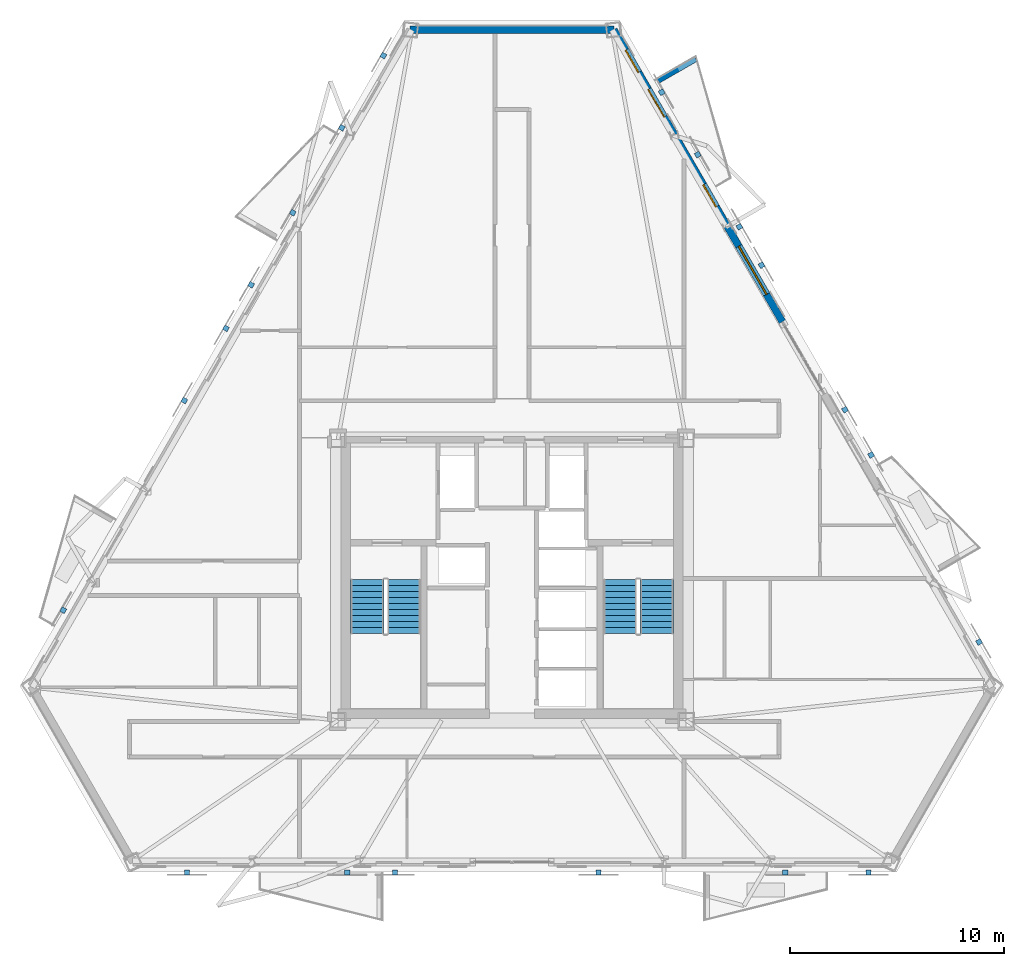
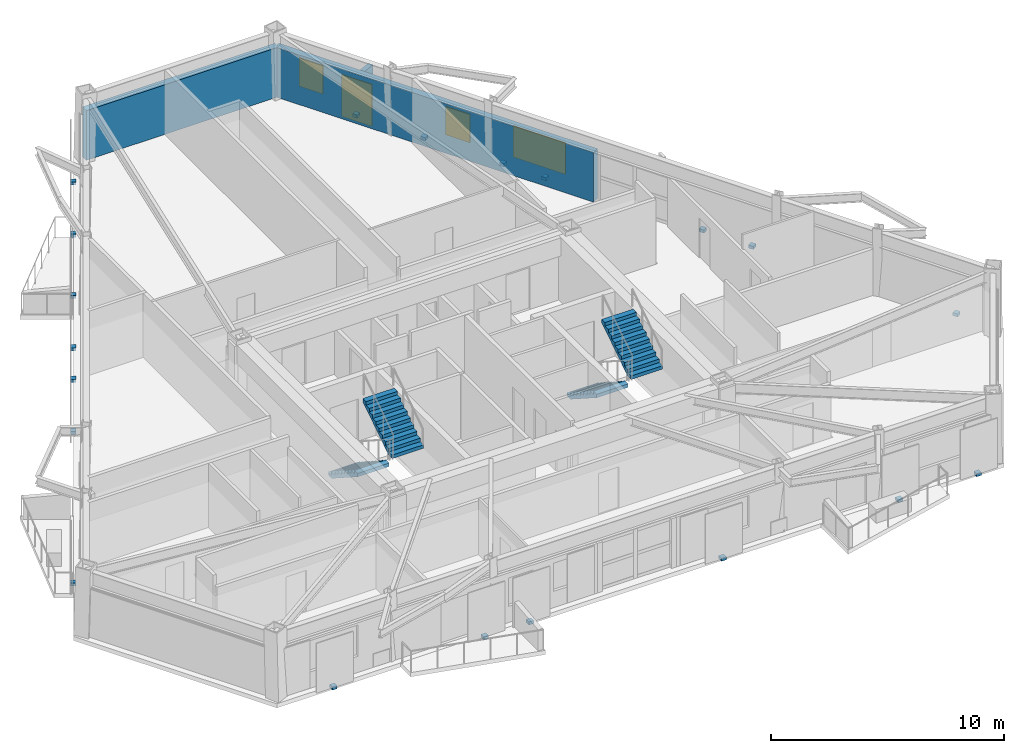
# One storey, part 10 of 14: 20 discrete accessories, 4 stair flights, 3 walls, 3 windows, 1 door, 4 openings, 2 elements without a shape of their own.
"""IFC4 building model written with IfcOpenShell, lengths in metres."""

from ifc_helpers import new_model, si_unit, direction, frame, frame_2d, origin, origin_2d, place, context, subcontext, project, spatial, polyline, rectangle, outline, extrude, material, layer, layer_set, type_object, element, fill, aggregate, save


model = new_model("IFC4")

# Units and contexts
model_context = context("Model", 3, precision=1e-05, world=origin(), true_north=direction((0.0, 1.0)))
body_context = subcontext(model_context, "Body", "Model", "MODEL_VIEW")
ifc_project = project(units=[si_unit("LENGTHUNIT", "METRE"), si_unit("AREAUNIT", "SQUARE_METRE"), si_unit("VOLUMEUNIT", "CUBIC_METRE"), si_unit("PLANEANGLEUNIT", "RADIAN"), si_unit("MASSUNIT", "GRAM", prefix="KILO")], contexts=[model_context])

# Site, building, storey
site_placement = place(None, origin())
site = spatial("IfcSite", under=ifc_project, at=site_placement, CompositionType="ELEMENT")
building_placement = place(site_placement, origin())
building = spatial("IfcBuilding", under=site, at=building_placement, Name="Oramaril Tower", CompositionType="ELEMENT")
storey_placement = place(building_placement, frame((0.0, 0.0, 149.39990234375)))
storey = spatial("IfcBuildingStorey", under=building, at=storey_placement, Name="L39", CompositionType="ELEMENT", Elevation=149.39990234375)

# Wall, openings, door, windows
ifc_material_1 = material(Name="Warm Cream Limestone", Category="masonry")
ifc_layer_1 = layer(ifc_material_1, 0.340087890625)
ifc_layer_set_1 = layer_set([ifc_layer_1], Name="WT-EXT34")
wall_type_1 = type_object("IfcWallType", Name="WT-EXT34", PredefinedType="SOLIDWALL", material=ifc_layer_set_1)
wall_1_placement = place(storey_placement, frame((50.158935546875, 29.660400390625, 0.0), z_axis=(0.0, 0.0, 1.0), x_axis=(-0.499996454363, 0.866027450849, 0.0)))
wall_1 = element("IfcWall", 1, at=wall_1_placement, inside=storey, type_object=wall_type_1, Name="L39 Tower Limestone Facade Wall 4R", PredefinedType="SOLIDWALL", context=body_context, shape_type="SweptSolid", body=[
    extrude(rectangle(XDim=15.78564453125, YDim=0.340087890625, at=frame_2d((7.892822265625, 0.0))), origin(), (0.0, 0.0, 1.0), 2.60009765625),
])
opening_1_placement = place(wall_1_placement, frame((11.06640625, 0.0, 0.0)))
opening_1 = element("IfcOpeningElement", 2, at=opening_1_placement, cuts=wall_1, Name="Opening D-L39-BAL-NE2", PredefinedType="OPENING", context=body_context, shape_type="SweptSolid", body=[
    extrude(rectangle(XDim=1.5, YDim=2.199951171875, at=frame_2d((0.75, 1.10009765625))), frame((0.0, 0.169921875, 0.0), z_axis=(0.0, -1.0, 0.0), x_axis=(1.0, 0.0, 0.0)), (0.0, 0.0, 1.0), 0.340087890625),
])
opening_2_placement = place(wall_1_placement, frame((1.48388671875, 0.0, 0.85009765625)))
opening_2 = element("IfcOpeningElement", 3, at=opening_2_placement, cuts=wall_1, Name="Opening WN-02", PredefinedType="OPENING", context=body_context, shape_type="SweptSolid", body=[
    extrude(rectangle(XDim=2.60009765625, YDim=1.639892578125, at=frame_2d((1.300048828125, 0.81982421875))), frame((0.0, 0.169921875, 0.0), z_axis=(0.0, -1.0, 0.0), x_axis=(1.0, 0.0, 0.0)), (0.0, 0.0, 1.0), 0.340087890625),
])
opening_3_placement = place(wall_1_placement, frame((6.21142578125, 0.0, 0.85009765625)))
opening_3 = element("IfcOpeningElement", 4, at=opening_3_placement, cuts=wall_1, Name="Opening WN-09", PredefinedType="OPENING", context=body_context, shape_type="SweptSolid", body=[
    extrude(rectangle(XDim=1.199951171875, YDim=1.47998046875, at=frame_2d((0.60009765625, 0.739990234375))), frame((0.0, 0.169921875, 0.0), z_axis=(0.0, -1.0, 0.0), x_axis=(1.0, 0.0, 0.0)), (0.0, 0.0, 1.0), 0.340087890625),
])
opening_4_placement = place(wall_1_placement, frame((13.484619140625, 0.0, 0.85009765625)))
opening_4 = element("IfcOpeningElement", 5, at=opening_4_placement, cuts=wall_1, Name="Opening WN-09", PredefinedType="OPENING", context=body_context, shape_type="SweptSolid", body=[
    extrude(rectangle(XDim=1.199951171875, YDim=1.47998046875, at=frame_2d((0.60009765625, 0.739990234375))), frame((0.0, 0.169921875, 0.0), z_axis=(0.0, -1.0, 0.0), x_axis=(1.0, 0.0, 0.0)), (0.0, 0.0, 1.0), 0.340087890625),
])
ifc_material_2 = material(Name="Anodised Aluminium 6063-T6", Category="aluminium")
door_type = type_object("IfcDoorType", Name="DT-BAL", OperationType="NOTDEFINED", PredefinedType="DOOR", material=ifc_material_2)
door_placement = place(opening_1_placement, origin())
door = element("IfcDoor", 6, at=door_placement, inside=storey, type_object=door_type, Name="L39 Balcony Glazed Door L39-BAL-NE2", OperationType="SINGLE_SWING_LEFT", OverallHeight=2.199951171875, OverallWidth=1.5, PredefinedType="DOOR", context=body_context, shape_type="SweptSolid", body=[
    extrude(rectangle(XDim=1.5, YDim=2.199951171875, at=frame_2d((0.75, 1.10009765625))), frame((0.0, 0.02490234375, 0.0), z_axis=(0.0, -1.0, 0.0), x_axis=(1.0, 0.0, 0.0)), (0.0, 0.0, 1.0), 0.050048828125),
])
fill(opening_1, door)
ifc_material_3 = material(Name="Coastal Low-E Insulated Glass", Category="glass")
window_type_1 = type_object("IfcWindowType", Name="WNT-02", PartitioningType="SINGLE_PANEL", PredefinedType="WINDOW", material=ifc_material_3)
window_1_placement = place(opening_2_placement, origin())
window_1 = element("IfcWindow", 7, at=window_1_placement, inside=storey, type_object=window_type_1, Name="L39 Chicago Bay Window WN-02", OverallHeight=1.639892578125, OverallWidth=2.60009765625, PartitioningType="SINGLE_PANEL", PredefinedType="WINDOW", context=body_context, shape_type="SweptSolid", body=[
    extrude(rectangle(XDim=2.60009765625, YDim=1.639892578125, at=frame_2d((1.300048828125, 0.81982421875))), frame((0.0, 0.030029296875, 0.0), z_axis=(0.0, -1.0, 0.0), x_axis=(1.0, 0.0, 0.0)), (0.0, 0.0, 1.0), 0.06005859375),
])
fill(opening_2, window_1)
ifc_material_4 = material(Name="Coastal Low-E Insulated Glass", Category="glass")
window_type_2 = type_object("IfcWindowType", Name="WNT-09", PartitioningType="SINGLE_PANEL", PredefinedType="WINDOW", material=ifc_material_4)
window_2_placement = place(opening_3_placement, origin())
window_2 = element("IfcWindow", 8, at=window_2_placement, inside=storey, type_object=window_type_2, Name="L39 Chicago Bay Window WN-09", OverallHeight=1.47998046875, OverallWidth=1.199951171875, PartitioningType="SINGLE_PANEL", PredefinedType="WINDOW", context=body_context, shape_type="SweptSolid", body=[
    extrude(rectangle(XDim=1.199951171875, YDim=1.47998046875, at=frame_2d((0.60009765625, 0.739990234375))), frame((0.0, 0.030029296875, 0.0), z_axis=(0.0, -1.0, 0.0), x_axis=(1.0, 0.0, 0.0)), (0.0, 0.0, 1.0), 0.06005859375),
])
fill(opening_3, window_2)
window_3_placement = place(opening_4_placement, origin())
window_3 = element("IfcWindow", 9, at=window_3_placement, inside=storey, type_object=window_type_2, Name="L39 Chicago Bay Window WN-09", OverallHeight=1.47998046875, OverallWidth=1.199951171875, PartitioningType="SINGLE_PANEL", PredefinedType="WINDOW", context=body_context, shape_type="SweptSolid", body=[
    extrude(rectangle(XDim=1.199951171875, YDim=1.47998046875, at=frame_2d((0.60009765625, 0.739990234375))), frame((0.0, 0.030029296875, 0.0), z_axis=(0.0, -1.0, 0.0), x_axis=(1.0, 0.0, 0.0)), (0.0, 0.0, 1.0), 0.06005859375),
])
fill(opening_4, window_3)

# Walls
wall_2_placement = place(storey_placement, frame((42.26611328125, 43.331298828125, 0.0), z_axis=(0.0, 0.0, 1.0), x_axis=(-1.0, 0.0, 0.0)))
element("IfcWall", 10, at=wall_2_placement, inside=storey, type_object=wall_type_1, Name="L39 Tower Limestone Facade Wall 5M", PredefinedType="SOLIDWALL", context=body_context, shape_type="SweptSolid", body=[
    extrude(rectangle(XDim=9.5322265625, YDim=0.340087890625, at=frame_2d((4.76611328125, 0.0))), origin(), (0.0, 0.0, 1.0), 2.60009765625),
])
ifc_material_5 = material(Name="Concrete C40/50", Category="concrete")
ifc_layer_2 = layer(ifc_material_5, 0.22998046875)
ifc_layer_set_2 = layer_set([ifc_layer_2], Name="WT-PRP23")
wall_type_2 = type_object("IfcWallType", Name="WT-PRP23", PredefinedType="PARAPET", material=ifc_layer_set_2)
wall_3_placement = place(storey_placement, frame((44.341064453125, 40.93310546875, 0.0), z_axis=(0.0, 0.0, 1.0), x_axis=(0.866042246008, 0.499970827278, 0.0)))
element("IfcWall", 11, at=wall_3_placement, inside=storey, type_object=wall_type_2, Name="L39 Trapezoidal Balcony Frame Cheek L39-BAL-NE2-R", PredefinedType="PARAPET", context=body_context, shape_type="SweptSolid", body=[
    extrude(outline(polyline([(0.0, 0.0), (2.0419921875, 0.0), (2.0419921875, 1.10009765625), (0.0, 1.320068359375), (0.0, 0.0)])), frame((0.0, 0.114990234375, 0.0), z_axis=(0.0, -1.0, 0.0), x_axis=(1.0, 0.0, 0.0)), (0.0, 0.0, 1.0), 0.22998046875),
])

# Stair, stair flights
ifc_material_6 = material(Name="Concrete C50/60", Category="concrete")
stair_type = type_object("IfcStairType", Name="STT-DG-3600", PredefinedType="HALF_TURN_STAIR", material=ifc_material_6)
stair_1_placement = place(storey_placement, origin())
stair_1 = element("IfcStair", 12, at=stair_1_placement, inside=storey, type_object=stair_type, Name="L39 Protected PFP Exit Stair ST-1", PredefinedType="HALF_TURN_STAIR")
ifc_material_7 = material(Name="Concrete C50/60", Category="concrete")
stair_flight_type = type_object("IfcStairFlightType", Name="SFT-DG-3600", PredefinedType="STRAIGHT", material=ifc_material_7)
stair_flight_1_placement = place(storey_placement, frame((30.72998046875, 17.590087890625, 0.0), z_axis=(0.0, 0.0, 1.0), x_axis=(0.0, -1.0, 0.0)))
stair_flight_1 = element("IfcStairFlight", 13, at=stair_flight_1_placement, type_object=stair_flight_type, Name="ST-1 flight 1", NumberOfRisers=10, NumberOfTreads=9, PredefinedType="STRAIGHT", RiserHeight=0.18, TreadLength=0.28, context=body_context, shape_type="SweptSolid", body=[
    extrude(outline(polyline([(0.0, 0.0), (0.0, 0.179931640625), (0.280029296875, 0.179931640625), (0.280029296875, 0.360107421875), (0.56005859375, 0.360107421875), (0.56005859375, 0.5400390625), (0.840087890625, 0.5400390625), (0.840087890625, 0.719970703125), (1.1201171875, 0.719970703125), (1.1201171875, 0.89990234375), (1.39990234375, 0.89990234375), (1.39990234375, 1.080078125), (1.679931640625, 1.080078125), (1.679931640625, 1.260009765625), (1.9599609375, 1.260009765625), (1.9599609375, 1.43994140625), (2.239990234375, 1.43994140625), (2.239990234375, 1.6201171875), (2.52001953125, 1.6201171875), (2.52001953125, 1.800048828125), (2.52001953125, 1.44189453125), (0.277099609375, 0.0), (0.0, 0.0)])), frame((0.0, 0.780029296875, 0.0), z_axis=(0.0, -1.0, 0.0), x_axis=(1.0, 0.0, 0.0)), (0.0, 0.0, 1.0), 1.56005859375),
])
stair_flight_2_placement = place(storey_placement, frame((32.43994140625, 15.070068359375, 1.800048828125), z_axis=(0.0, 0.0, 1.0), x_axis=(0.0, 1.0, 0.0)))
stair_flight_2 = element("IfcStairFlight", 14, at=stair_flight_2_placement, type_object=stair_flight_type, Name="ST-1 flight 2", NumberOfRisers=10, NumberOfTreads=9, PredefinedType="STRAIGHT", RiserHeight=0.18, TreadLength=0.28, context=body_context, shape_type="SweptSolid", body=[
    extrude(outline(polyline([(0.0, 0.0), (0.0, 0.179931640625), (0.280029296875, 0.179931640625), (0.280029296875, 0.360107421875), (0.56005859375, 0.360107421875), (0.56005859375, 0.5400390625), (0.840087890625, 0.5400390625), (0.840087890625, 0.719970703125), (1.1201171875, 0.719970703125), (1.1201171875, 0.89990234375), (1.39990234375, 0.89990234375), (1.39990234375, 1.080078125), (1.679931640625, 1.080078125), (1.679931640625, 1.260009765625), (1.9599609375, 1.260009765625), (1.9599609375, 1.43994140625), (2.239990234375, 1.43994140625), (2.239990234375, 1.6201171875), (2.52001953125, 1.6201171875), (2.52001953125, 1.800048828125), (2.52001953125, 1.44189453125), (0.277099609375, 0.0), (0.0, 0.0)])), frame((0.0, 0.780029296875, 0.0), z_axis=(0.0, -1.0, 0.0), x_axis=(1.0, 0.0, 0.0)), (0.0, 0.0, 1.0), 1.56005859375),
])
aggregate(stair_1, [stair_flight_1, stair_flight_2])

stair_2_placement = place(storey_placement, origin())
stair_2 = element("IfcStair", 15, at=stair_2_placement, inside=storey, type_object=stair_type, Name="L39 Protected PFP Exit Stair ST-2", PredefinedType="HALF_TURN_STAIR")
stair_flight_3_placement = place(storey_placement, frame((42.56005859375, 17.590087890625, 0.0), z_axis=(0.0, 0.0, 1.0), x_axis=(0.0, -1.0, 0.0)))
stair_flight_3 = element("IfcStairFlight", 16, at=stair_flight_3_placement, type_object=stair_flight_type, Name="ST-2 flight 1", NumberOfRisers=10, NumberOfTreads=9, PredefinedType="STRAIGHT", RiserHeight=0.18, TreadLength=0.28, context=body_context, shape_type="SweptSolid", body=[
    extrude(outline(polyline([(0.0, 0.0), (0.0, 0.179931640625), (0.280029296875, 0.179931640625), (0.280029296875, 0.360107421875), (0.56005859375, 0.360107421875), (0.56005859375, 0.5400390625), (0.840087890625, 0.5400390625), (0.840087890625, 0.719970703125), (1.1201171875, 0.719970703125), (1.1201171875, 0.89990234375), (1.39990234375, 0.89990234375), (1.39990234375, 1.080078125), (1.679931640625, 1.080078125), (1.679931640625, 1.260009765625), (1.9599609375, 1.260009765625), (1.9599609375, 1.43994140625), (2.239990234375, 1.43994140625), (2.239990234375, 1.6201171875), (2.52001953125, 1.6201171875), (2.52001953125, 1.800048828125), (2.52001953125, 1.44189453125), (0.277099609375, 0.0), (0.0, 0.0)])), frame((0.0, 0.780029296875, 0.0), z_axis=(0.0, -1.0, 0.0), x_axis=(1.0, 0.0, 0.0)), (0.0, 0.0, 1.0), 1.56005859375),
])
stair_flight_4_placement = place(storey_placement, frame((44.27001953125, 15.070068359375, 1.800048828125), z_axis=(0.0, 0.0, 1.0), x_axis=(0.0, 1.0, 0.0)))
stair_flight_4 = element("IfcStairFlight", 17, at=stair_flight_4_placement, type_object=stair_flight_type, Name="ST-2 flight 2", NumberOfRisers=10, NumberOfTreads=9, PredefinedType="STRAIGHT", RiserHeight=0.18, TreadLength=0.28, context=body_context, shape_type="SweptSolid", body=[
    extrude(outline(polyline([(0.0, 0.0), (0.0, 0.179931640625), (0.280029296875, 0.179931640625), (0.280029296875, 0.360107421875), (0.56005859375, 0.360107421875), (0.56005859375, 0.5400390625), (0.840087890625, 0.5400390625), (0.840087890625, 0.719970703125), (1.1201171875, 0.719970703125), (1.1201171875, 0.89990234375), (1.39990234375, 0.89990234375), (1.39990234375, 1.080078125), (1.679931640625, 1.080078125), (1.679931640625, 1.260009765625), (1.9599609375, 1.260009765625), (1.9599609375, 1.43994140625), (2.239990234375, 1.43994140625), (2.239990234375, 1.6201171875), (2.52001953125, 1.6201171875), (2.52001953125, 1.800048828125), (2.52001953125, 1.44189453125), (0.277099609375, 0.0), (0.0, 0.0)])), frame((0.0, 0.780029296875, 0.0), z_axis=(0.0, -1.0, 0.0), x_axis=(1.0, 0.0, 0.0)), (0.0, 0.0, 1.0), 1.56005859375),
])
aggregate(stair_2, [stair_flight_3, stair_flight_4])

# Discrete accessories
for number, where, z_axis, x_axis, name in (
    (18, (32.01806640625, 3.876708984375, -0.1396484375), (0.0, 0.0, 1.0), (1.0, 0.0, 0.0), "L39 Solar Screen Slab Bracket"),
    (19, (29.787109375, 3.876708984375, -0.1396484375), (0.0, 0.0, 1.0), (1.0, 0.0, 0.0), "L39 Solar Screen Slab Bracket"),
    (20, (22.285888671875, 3.876708984375, -0.1396484375), (0.0, 0.0, 1.0), (1.0, 0.0, 0.0), "L39 Solar Screen Slab Bracket"),
    (21, (41.552978515625, 3.876708984375, -0.1396484375), (0.0, 0.0, 1.0), (1.0, 0.0, 0.0), "L39 Solar Screen Slab Bracket"),
    (22, (50.29150390625, 3.876708984375, -0.1396484375), (0.0, 0.0, 1.0), (1.0, 0.0, 0.0), "L39 Solar Screen Slab Bracket"),
    (23, (54.19140625, 3.876708984375, -0.1396484375), (0.0, 0.0, 1.0), (1.0, 0.0, 0.0), "L39 Solar Screen Slab Bracket"),
    (24, (59.366455078125, 14.672607421875, -0.1396484375), (0.0, 0.0, 1.0), (-0.5, 0.866025403784, 0.0), "L39 Solar Screen Slab Bracket"),
    (25, (54.31201171875, 23.42724609375, -0.1396484375), (0.0, 0.0, 1.0), (-0.5, 0.866025403784, 0.0), "L39 Solar Screen Slab Bracket"),
    (26, (53.090087890625, 25.543701171875, -0.1396484375), (0.0, 0.0, 1.0), (-0.5, 0.866025403784, 0.0), "L39 Solar Screen Slab Bracket"),
    (27, (49.1826171875, 32.311279296875, -0.1396484375), (0.0, 0.0, 1.0), (-0.500001511499, 0.866024531118, 0.0), "L39 Solar Screen Slab Bracket"),
    (28, (48.14404296875, 34.110595703125, -0.1396484375), (0.0, 0.0, 1.0), (-0.500001511499, 0.866024531118, 0.0), "L39 Solar Screen Slab Bracket"),
    (29, (46.194091796875, 37.488037109375, -0.1396484375), (0.0, 0.0, 1.0), (-0.500001511499, 0.866024531118, 0.0), "L39 Solar Screen Slab Bracket"),
    (30, (44.50732421875, 40.409423828125, -0.1396484375), (0.0, 0.0, 1.0), (-0.500001511499, 0.866024531118, 0.0), "L39 Solar Screen Slab Bracket"),
    (31, (16.4931640625, 16.161376953125, -0.1396484375), (0.0, 0.0, 1.0), (-0.5, -0.866025403784, 0.0), "L39 Solar Screen Slab Bracket"),
    (32, (24.109619140625, 29.353759765625, -0.1396484375), (0.0, 0.0, 1.0), (-0.5, -0.866025403784, 0.0), "L39 Solar Screen Slab Bracket"),
    (33, (22.15966796875, 25.976318359375, -0.1396484375), (0.0, 0.0, 1.0), (-0.5, -0.866025403784, 0.0), "L39 Solar Screen Slab Bracket"),
    (34, (27.23681640625, 34.77001953125, -0.1396484375), (0.0, 0.0, 1.0), (-0.5, -0.866025403784, 0.0), "L39 Solar Screen Slab Bracket"),
    (35, (25.28662109375, 31.392333984375, -0.1396484375), (0.0, 0.0, 1.0), (-0.5, -0.866025403784, 0.0), "L39 Solar Screen Slab Bracket"),
    (36, (31.481689453125, 42.12255859375, -0.1396484375), (0.0, 0.0, 1.0), (-0.5, -0.866025403784, 0.0), "L39 Solar Screen Slab Bracket"),
    (37, (29.53173828125, 38.7451171875, -0.1396484375), (0.0, 0.0, 1.0), (-0.5, -0.866025403784, 0.0), "L39 Solar Screen Slab Bracket"),
):
    element("IfcDiscreteAccessory", number, at=place(storey_placement, frame(where, z_axis=z_axis, x_axis=x_axis)), inside=storey, Name=name, PredefinedType="BRACKET", context=body_context, shape_type="SweptSolid", body=[
        extrude(rectangle(XDim=0.239990234375, YDim=0.239990234375, at=origin_2d()), origin(), (0.0, 0.0, 1.0), 0.159912109375),
    ])

save(model, "model.ifc")
